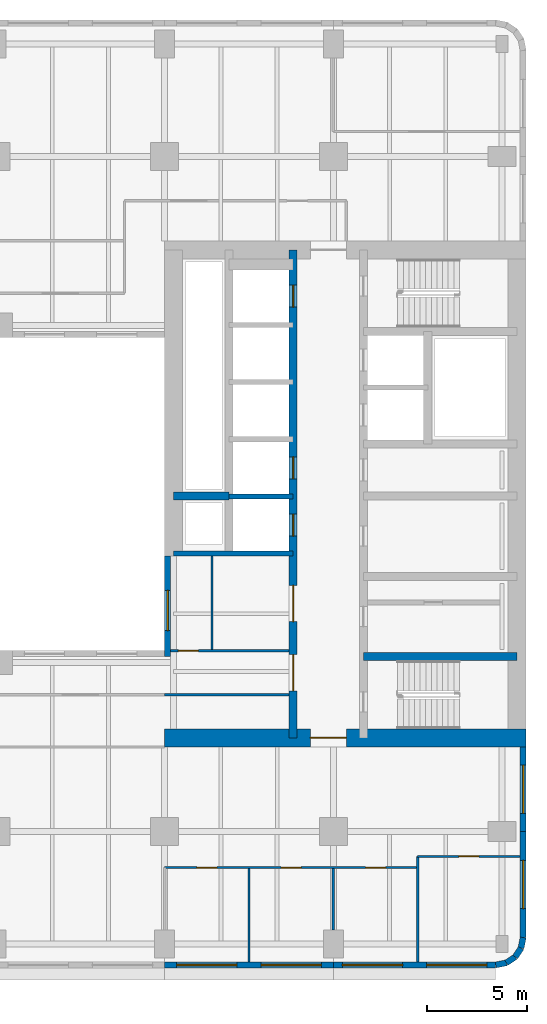
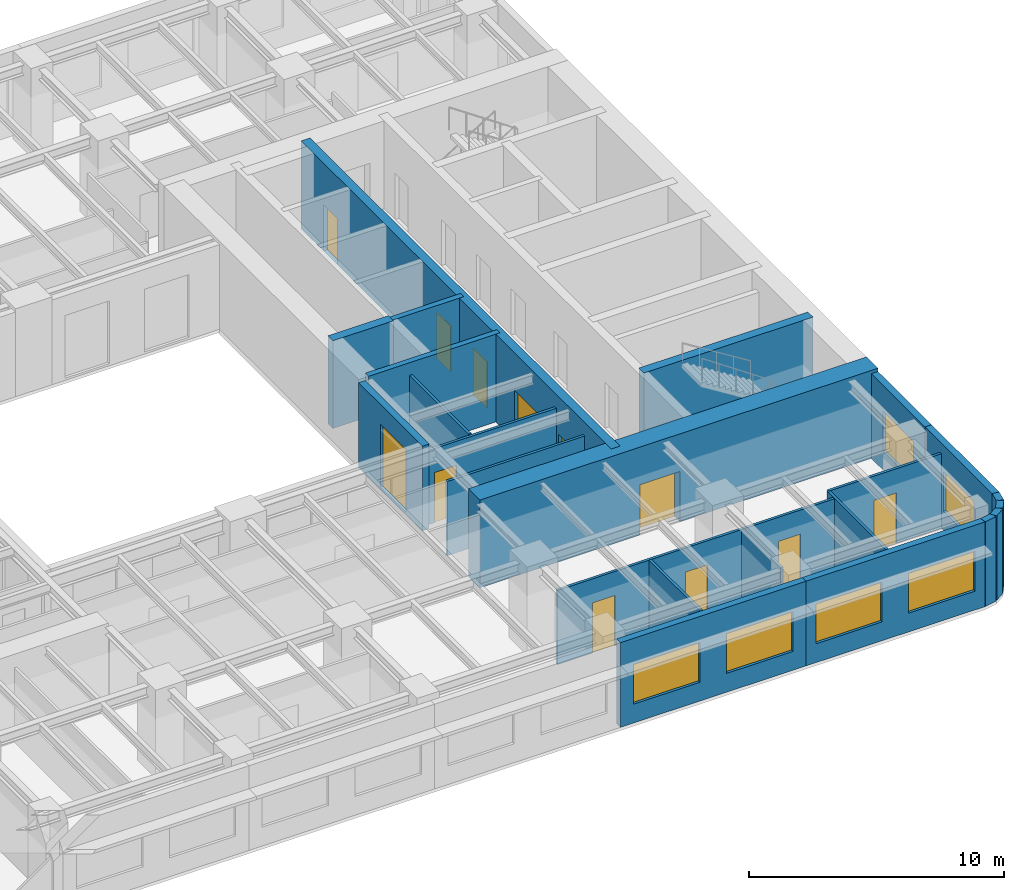
# One storey, part 5 of 11: 23 walls, 11 doors, 7 windows, 18 openings.
"""IFC4 building model written with IfcOpenShell, lengths in metres."""

from ifc_helpers import new_model, si_unit, direction, frame, frame_2d, origin, place, context, subcontext, project, spatial, rectangle, extrude, material, layer, layer_set, type_object, element, fill, save


model = new_model("IFC4")

# Units and contexts
model_context = context("Model", 3, precision=1e-05, world=origin(), true_north=direction((0.0, 1.0)))
body_context = subcontext(model_context, "Body", "Model", "MODEL_VIEW")
ifc_project = project(units=[si_unit("LENGTHUNIT", "METRE"), si_unit("AREAUNIT", "SQUARE_METRE"), si_unit("VOLUMEUNIT", "CUBIC_METRE"), si_unit("PLANEANGLEUNIT", "RADIAN"), si_unit("MASSUNIT", "GRAM", prefix="KILO")], contexts=[model_context])

# Site, building, storey
site_placement = place(None, origin())
site = spatial("IfcSite", under=ifc_project, at=site_placement, CompositionType="ELEMENT")
building_placement = place(site_placement, origin())
building = spatial("IfcBuilding", under=site, at=building_placement, Name="Claustro Exchange Tower", CompositionType="ELEMENT")
storey_placement = place(building_placement, frame((0.0, 0.0, 130.199951171875)))
storey = spatial("IfcBuildingStorey", under=building, at=storey_placement, Name="L29", CompositionType="ELEMENT", Elevation=130.199951171875)

# Wall, opening, door
ifc_material_1 = material(Name="Laminated glass in aluminium frame", Category="aluminium")
ifc_layer_1 = layer(ifc_material_1, 0.1201171875)
ifc_layer_set_1 = layer_set([ifc_layer_1], Name="Laminated glass in aluminium frame")
wall_type_1 = type_object("IfcWallType", Name="P2 120 glazed partition", PredefinedType="PARTITIONING", material=ifc_layer_set_1)
wall_1_placement = place(storey_placement, frame((33.89794921875, 17.39990234375, 0.0), z_axis=(0.0, 0.0, 1.0), x_axis=(1.0, 0.0, 0.0)))
wall_1 = element("IfcWall", 1, at=wall_1_placement, inside=storey, type_object=wall_type_1, Name="Partition P2 L29", PredefinedType="PARTITIONING", context=body_context, shape_type="SweptSolid", body=[
    extrude(rectangle(XDim=5.904052734375, YDim=0.1201171875, at=frame_2d((2.9521484375, 0.0))), origin(), (0.0, 0.0, 1.0), 3.550048828125),
])
opening_1_placement = place(wall_1_placement, frame((0.3798828125, 0.0, 0.0)))
opening_1 = element("IfcOpeningElement", 2, at=opening_1_placement, cuts=wall_1, Name="Opening D7", PredefinedType="OPENING", context=body_context, shape_type="SweptSolid", body=[
    extrude(rectangle(XDim=1.0, YDim=2.39990234375, at=frame_2d((0.5, 1.199951171875))), frame((0.0, 0.070068359375, 0.0), z_axis=(0.0, -1.0, 0.0), x_axis=(1.0, 0.0, 0.0)), (0.0, 0.0, 1.0), 0.14013671875),
])
ifc_material_2 = material(Name="Glass door in aluminium frame", Category="aluminium")
door_type_1 = type_object("IfcDoorType", Name="D7 1000 x 2400 glazed door", OperationType="SINGLE_SWING_LEFT", PredefinedType="DOOR", material=ifc_material_2)
door_1_placement = place(opening_1_placement, origin())
door_1 = element("IfcDoor", 3, at=door_1_placement, inside=storey, type_object=door_type_1, Name="Door D7 L29", OperationType="SINGLE_SWING_RIGHT", OverallHeight=2.39990234375, OverallWidth=1.0, PredefinedType="DOOR", context=body_context, shape_type="SweptSolid", body=[
    extrude(rectangle(XDim=1.0, YDim=2.39990234375, at=frame_2d((0.5, 1.199951171875))), frame((0.0, 0.02490234375, 0.0), z_axis=(0.0, -1.0, 0.0), x_axis=(1.0, 0.0, 0.0)), (0.0, 0.0, 1.0), 0.050048828125),
])
fill(opening_1, door_1)

# Wall
wall_2_placement = place(storey_placement, frame((35.9560546875, 17.4580078125, 0.0), z_axis=(0.0, 0.0, 1.0), x_axis=(0.0, 1.0, 0.0)))
element("IfcWall", 4, at=wall_2_placement, inside=storey, type_object=wall_type_1, Name="Partition P2 L29", PredefinedType="PARTITIONING", context=body_context, shape_type="SweptSolid", body=[
    extrude(rectangle(XDim=4.64404296875, YDim=0.1201171875, at=frame_2d((2.322021484375, 0.0))), origin(), (0.0, 0.0, 1.0), 3.60009765625),
])

# Wall, opening, door
wall_3_placement = place(storey_placement, frame((46.199951171875, 7.14990234375, 0.0), z_axis=(0.0, 0.0, 1.0), x_axis=(1.0, 0.0, 0.0)))
wall_3 = element("IfcWall", 5, at=wall_3_placement, inside=storey, type_object=wall_type_1, Name="Partition P2 L29", PredefinedType="PARTITIONING", context=body_context, shape_type="SweptSolid", body=[
    extrude(rectangle(XDim=5.10205078125, YDim=0.1201171875, at=frame_2d((2.551025390625, 0.0))), origin(), (0.0, 0.0, 1.0), 3.56005859375),
])
opening_2_placement = place(wall_3_placement, frame((2.050048828125, 0.0, 0.0)))
opening_2 = element("IfcOpeningElement", 6, at=opening_2_placement, cuts=wall_3, Name="Opening D7", PredefinedType="OPENING", context=body_context, shape_type="SweptSolid", body=[
    extrude(rectangle(XDim=1.0, YDim=2.39990234375, at=frame_2d((0.5, 1.199951171875))), frame((0.0, 0.070068359375, 0.0), z_axis=(0.0, -1.0, 0.0), x_axis=(1.0, 0.0, 0.0)), (0.0, 0.0, 1.0), 0.14013671875),
])
door_2_placement = place(opening_2_placement, frame((1.0, 0.0, 0.0), z_axis=(0.0, 0.0, 1.0), x_axis=(-1.0, 0.0, 0.0)))
door_2 = element("IfcDoor", 7, at=door_2_placement, inside=storey, type_object=door_type_1, Name="Door D7 L29", OperationType="SINGLE_SWING_RIGHT", OverallHeight=2.39990234375, OverallWidth=1.0, PredefinedType="DOOR", context=body_context, shape_type="SweptSolid", body=[
    extrude(rectangle(XDim=1.0, YDim=2.39990234375, at=frame_2d((0.5, 1.199951171875))), frame((0.0, 0.02490234375, 0.0), z_axis=(0.0, -1.0, 0.0), x_axis=(1.0, 0.0, 0.0)), (0.0, 0.0, 1.0), 0.050048828125),
])
fill(opening_2, door_2)

# Wall, openings, doors
wall_4_placement = place(storey_placement, frame((33.60009765625, 6.60009765625, 0.0), z_axis=(0.0, 0.0, 1.0), x_axis=(1.0, 0.0, 0.0)))
wall_4 = element("IfcWall", 8, at=wall_4_placement, inside=storey, type_object=wall_type_1, Name="Partition P2 L29", PredefinedType="PARTITIONING", context=body_context, shape_type="SweptSolid", body=[
    extrude(rectangle(XDim=12.5419921875, YDim=0.1201171875, at=frame_2d((6.27099609375, 0.0))), origin(), (0.0, 0.0, 1.0), 3.550048828125),
])
opening_3_placement = place(wall_4_placement, frame((1.60009765625, 0.0, 0.0)))
opening_3 = element("IfcOpeningElement", 9, at=opening_3_placement, cuts=wall_4, Name="Opening D7", PredefinedType="OPENING", context=body_context, shape_type="SweptSolid", body=[
    extrude(rectangle(XDim=1.0, YDim=2.39990234375, at=frame_2d((0.5, 1.199951171875))), frame((0.0, 0.070068359375, 0.0), z_axis=(0.0, -1.0, 0.0), x_axis=(1.0, 0.0, 0.0)), (0.0, 0.0, 1.0), 0.14013671875),
])
opening_4_placement = place(wall_4_placement, frame((5.800048828125, 0.0, 0.0)))
opening_4 = element("IfcOpeningElement", 10, at=opening_4_placement, cuts=wall_4, Name="Opening D7", PredefinedType="OPENING", context=body_context, shape_type="SweptSolid", body=[
    extrude(rectangle(XDim=1.0, YDim=2.39990234375, at=frame_2d((0.5, 1.199951171875))), frame((0.0, 0.070068359375, 0.0), z_axis=(0.0, -1.0, 0.0), x_axis=(1.0, 0.0, 0.0)), (0.0, 0.0, 1.0), 0.14013671875),
])
opening_5_placement = place(wall_4_placement, frame((10.0, 0.0, 0.0)))
opening_5 = element("IfcOpeningElement", 11, at=opening_5_placement, cuts=wall_4, Name="Opening D7", PredefinedType="OPENING", context=body_context, shape_type="SweptSolid", body=[
    extrude(rectangle(XDim=1.0, YDim=2.39990234375, at=frame_2d((0.5, 1.199951171875))), frame((0.0, 0.070068359375, 0.0), z_axis=(0.0, -1.0, 0.0), x_axis=(1.0, 0.0, 0.0)), (0.0, 0.0, 1.0), 0.14013671875),
])
door_3_placement = place(opening_3_placement, frame((1.0, 0.0, 0.0), z_axis=(0.0, 0.0, 1.0), x_axis=(-1.0, 0.0, 0.0)))
door_3 = element("IfcDoor", 12, at=door_3_placement, inside=storey, type_object=door_type_1, Name="Door D7 L29", OperationType="SINGLE_SWING_LEFT", OverallHeight=2.39990234375, OverallWidth=1.0, PredefinedType="DOOR", context=body_context, shape_type="SweptSolid", body=[
    extrude(rectangle(XDim=1.0, YDim=2.39990234375, at=frame_2d((0.5, 1.199951171875))), frame((0.0, 0.02490234375, 0.0), z_axis=(0.0, -1.0, 0.0), x_axis=(1.0, 0.0, 0.0)), (0.0, 0.0, 1.0), 0.050048828125),
])
fill(opening_3, door_3)
door_4_placement = place(opening_4_placement, frame((1.0, 0.0, 0.0), z_axis=(0.0, 0.0, 1.0), x_axis=(-1.0, 0.0, 0.0)))
door_4 = element("IfcDoor", 13, at=door_4_placement, inside=storey, type_object=door_type_1, Name="Door D7 L29", OperationType="SINGLE_SWING_LEFT", OverallHeight=2.39990234375, OverallWidth=1.0, PredefinedType="DOOR", context=body_context, shape_type="SweptSolid", body=[
    extrude(rectangle(XDim=1.0, YDim=2.39990234375, at=frame_2d((0.5, 1.199951171875))), frame((0.0, 0.02490234375, 0.0), z_axis=(0.0, -1.0, 0.0), x_axis=(1.0, 0.0, 0.0)), (0.0, 0.0, 1.0), 0.050048828125),
])
fill(opening_4, door_4)
door_5_placement = place(opening_5_placement, frame((1.0, 0.0, 0.0), z_axis=(0.0, 0.0, 1.0), x_axis=(-1.0, 0.0, 0.0)))
door_5 = element("IfcDoor", 14, at=door_5_placement, inside=storey, type_object=door_type_1, Name="Door D7 L29", OperationType="SINGLE_SWING_RIGHT", OverallHeight=2.39990234375, OverallWidth=1.0, PredefinedType="DOOR", context=body_context, shape_type="SweptSolid", body=[
    extrude(rectangle(XDim=1.0, YDim=2.39990234375, at=frame_2d((0.5, 1.199951171875))), frame((0.0, 0.02490234375, 0.0), z_axis=(0.0, -1.0, 0.0), x_axis=(1.0, 0.0, 0.0)), (0.0, 0.0, 1.0), 0.050048828125),
])
fill(opening_5, door_5)

# Walls
wall_5_placement = place(storey_placement, frame((37.800048828125, 1.89794921875, 0.0), z_axis=(0.0, 0.0, 1.0), x_axis=(0.0, 1.0, 0.0)))
element("IfcWall", 15, at=wall_5_placement, inside=storey, type_object=wall_type_1, Name="Partition P2 L29", PredefinedType="PARTITIONING", context=body_context, shape_type="SweptSolid", body=[
    extrude(rectangle(XDim=4.64404296875, YDim=0.1201171875, at=frame_2d((2.322021484375, 0.0))), origin(), (0.0, 0.0, 1.0), 3.56005859375),
])
wall_6_placement = place(storey_placement, frame((42.0, 3.4990234375, 0.0), z_axis=(0.0, 0.0, 1.0), x_axis=(0.0, 1.0, 0.0)))
element("IfcWall", 16, at=wall_6_placement, inside=storey, type_object=wall_type_1, Name="Partition P2 L29", PredefinedType="PARTITIONING", context=body_context, shape_type="SweptSolid", body=[
    extrude(rectangle(XDim=3.04296875, YDim=0.1201171875, at=frame_2d((1.521484375, 0.0))), origin(), (0.0, 0.0, 1.0), 3.550048828125),
])
wall_7_placement = place(storey_placement, frame((46.199951171875, 1.89794921875, 0.0), z_axis=(0.0, 0.0, 1.0), x_axis=(0.0, 1.0, 0.0)))
element("IfcWall", 17, at=wall_7_placement, inside=storey, type_object=wall_type_1, Name="Partition P2 L29", PredefinedType="PARTITIONING", context=body_context, shape_type="SweptSolid", body=[
    extrude(rectangle(XDim=5.251953125, YDim=0.1201171875, at=frame_2d((2.6259765625, 0.0))), origin(), (0.0, 0.0, 1.0), 3.56005859375),
])
wall_8_placement = place(storey_placement, frame((33.597900390625, 15.199951171875, 0.0), z_axis=(0.0, 0.0, 1.0), x_axis=(1.0, 0.0, 0.0)))
element("IfcWall", 18, at=wall_8_placement, inside=storey, type_object=wall_type_1, Name="Partition P2 L29", PredefinedType="PARTITIONING", context=body_context, shape_type="SweptSolid", body=[
    extrude(rectangle(XDim=6.2041015625, YDim=0.1201171875, at=frame_2d((3.10205078125, 0.0))), origin(), (0.0, 0.0, 1.0), 3.550048828125),
])

# Wall, openings, windows
ifc_material_3 = material(Name="Concrete HA-40 (C40/50), precast, white cement, acid-etched", Category="concrete")
ifc_layer_2 = layer(ifc_material_3, 0.300048828125)
ifc_layer_set_2 = layer_set([ifc_layer_2], Name="Concrete HA-40 (C40/50), precast, white cement, acid-etched")
wall_type_2 = type_object("IfcWallType", Name="PC1 300 precast concrete pier panel", PredefinedType="SOLIDWALL", material=ifc_layer_set_2)
wall_9_placement = place(storey_placement, frame((50.085205078125, 1.75, 0.0), z_axis=(0.0, 0.0, 1.0), x_axis=(-1.0, 0.0, 0.0)))
wall_9 = element("IfcWall", 19, at=wall_9_placement, inside=storey, type_object=wall_type_2, Name="Precast pier panel PC1 L29", PredefinedType="SOLIDWALL", context=body_context, shape_type="SweptSolid", body=[
    extrude(rectangle(XDim=8.085205078125, YDim=0.300048828125, at=frame_2d((4.04248046875, 0.0))), origin(), (0.0, 0.0, 1.0), 4.050048828125),
])
opening_6_placement = place(wall_9_placement, frame((0.442626953125, 0.0, 0.89990234375)))
opening_6 = element("IfcOpeningElement", 20, at=opening_6_placement, cuts=wall_9, Name="Opening W1", PredefinedType="OPENING", context=body_context, shape_type="SweptSolid", body=[
    extrude(rectangle(XDim=3.0, YDim=1.89990234375, at=frame_2d((1.5, 0.949951171875))), frame((0.0, 0.159912109375, 0.0), z_axis=(0.0, -1.0, 0.0), x_axis=(1.0, 0.0, 0.0)), (0.0, 0.0, 1.0), 0.320068359375),
])
opening_7_placement = place(wall_9_placement, frame((4.642578125, 0.0, 0.89990234375)))
opening_7 = element("IfcOpeningElement", 21, at=opening_7_placement, cuts=wall_9, Name="Opening W1", PredefinedType="OPENING", context=body_context, shape_type="SweptSolid", body=[
    extrude(rectangle(XDim=3.0, YDim=1.89990234375, at=frame_2d((1.5, 0.949951171875))), frame((0.0, 0.159912109375, 0.0), z_axis=(0.0, -1.0, 0.0), x_axis=(1.0, 0.0, 0.0)), (0.0, 0.0, 1.0), 0.320068359375),
])
ifc_material_4 = material(Name="Aluminium frame, clear double glazing", Category="aluminium")
window_type_1 = type_object("IfcWindowType", Name="W1 3000 x 1900 window", PartitioningType="SINGLE_PANEL", PredefinedType="WINDOW", material=ifc_material_4)
window_1_placement = place(opening_6_placement, origin())
window_1 = element("IfcWindow", 22, at=window_1_placement, inside=storey, type_object=window_type_1, Name="Window W1 L29", OverallHeight=1.89990234375, OverallWidth=3.0, PartitioningType="SINGLE_PANEL", PredefinedType="WINDOW", context=body_context, shape_type="SweptSolid", body=[
    extrude(rectangle(XDim=3.0, YDim=1.89990234375, at=frame_2d((1.5, 0.949951171875))), frame((0.0, 0.030029296875, 0.0), z_axis=(0.0, -1.0, 0.0), x_axis=(1.0, 0.0, 0.0)), (0.0, 0.0, 1.0), 0.06005859375),
])
fill(opening_6, window_1)
window_2_placement = place(opening_7_placement, origin())
window_2 = element("IfcWindow", 23, at=window_2_placement, inside=storey, type_object=window_type_1, Name="Window W1 L29", OverallHeight=1.89990234375, OverallWidth=3.0, PartitioningType="SINGLE_PANEL", PredefinedType="WINDOW", context=body_context, shape_type="SweptSolid", body=[
    extrude(rectangle(XDim=3.0, YDim=1.89990234375, at=frame_2d((1.5, 0.949951171875))), frame((0.0, 0.030029296875, 0.0), z_axis=(0.0, -1.0, 0.0), x_axis=(1.0, 0.0, 0.0)), (0.0, 0.0, 1.0), 0.06005859375),
])
fill(opening_7, window_2)

wall_10_placement = place(storey_placement, frame((42.0, 1.75, 0.0), z_axis=(0.0, 0.0, 1.0), x_axis=(-1.0, 0.0, 0.0)))
wall_10 = element("IfcWall", 24, at=wall_10_placement, inside=storey, type_object=wall_type_2, Name="Precast pier panel PC1 L29", PredefinedType="SOLIDWALL", context=body_context, shape_type="SweptSolid", body=[
    extrude(rectangle(XDim=8.39990234375, YDim=0.300048828125, at=frame_2d((4.199951171875, 0.0))), origin(), (0.0, 0.0, 1.0), 4.050048828125),
])
opening_8_placement = place(wall_10_placement, frame((0.60009765625, 0.0, 0.89990234375)))
opening_8 = element("IfcOpeningElement", 25, at=opening_8_placement, cuts=wall_10, Name="Opening W1", PredefinedType="OPENING", context=body_context, shape_type="SweptSolid", body=[
    extrude(rectangle(XDim=3.0, YDim=1.89990234375, at=frame_2d((1.5, 0.949951171875))), frame((0.0, 0.159912109375, 0.0), z_axis=(0.0, -1.0, 0.0), x_axis=(1.0, 0.0, 0.0)), (0.0, 0.0, 1.0), 0.320068359375),
])
opening_9_placement = place(wall_10_placement, frame((4.800048828125, 0.0, 0.89990234375)))
opening_9 = element("IfcOpeningElement", 26, at=opening_9_placement, cuts=wall_10, Name="Opening W1", PredefinedType="OPENING", context=body_context, shape_type="SweptSolid", body=[
    extrude(rectangle(XDim=3.0, YDim=1.89990234375, at=frame_2d((1.5, 0.949951171875))), frame((0.0, 0.159912109375, 0.0), z_axis=(0.0, -1.0, 0.0), x_axis=(1.0, 0.0, 0.0)), (0.0, 0.0, 1.0), 0.320068359375),
])
window_3_placement = place(opening_8_placement, origin())
window_3 = element("IfcWindow", 27, at=window_3_placement, inside=storey, type_object=window_type_1, Name="Window W1 L29", OverallHeight=1.89990234375, OverallWidth=3.0, PartitioningType="SINGLE_PANEL", PredefinedType="WINDOW", context=body_context, shape_type="SweptSolid", body=[
    extrude(rectangle(XDim=3.0, YDim=1.89990234375, at=frame_2d((1.5, 0.949951171875))), frame((0.0, 0.030029296875, 0.0), z_axis=(0.0, -1.0, 0.0), x_axis=(1.0, 0.0, 0.0)), (0.0, 0.0, 1.0), 0.06005859375),
])
fill(opening_8, window_3)
window_4_placement = place(opening_9_placement, origin())
window_4 = element("IfcWindow", 28, at=window_4_placement, inside=storey, type_object=window_type_1, Name="Window W1 L29", OverallHeight=1.89990234375, OverallWidth=3.0, PartitioningType="SINGLE_PANEL", PredefinedType="WINDOW", context=body_context, shape_type="SweptSolid", body=[
    extrude(rectangle(XDim=3.0, YDim=1.89990234375, at=frame_2d((1.5, 0.949951171875))), frame((0.0, 0.030029296875, 0.0), z_axis=(0.0, -1.0, 0.0), x_axis=(1.0, 0.0, 0.0)), (0.0, 0.0, 1.0), 0.06005859375),
])
fill(opening_9, window_4)

# Wall, opening, window
wall_11_placement = place(storey_placement, frame((51.449951171875, 12.60009765625, 0.0), z_axis=(0.0, 0.0, 1.0), x_axis=(0.0, -1.0, 0.0)))
wall_11 = element("IfcWall", 29, at=wall_11_placement, inside=storey, type_object=wall_type_2, Name="Precast pier panel PC1 L29", PredefinedType="SOLIDWALL", context=body_context, shape_type="SweptSolid", body=[
    extrude(rectangle(XDim=4.2001953125, YDim=0.300048828125, at=frame_2d((2.10009765625, 0.0))), origin(), (0.0, 0.0, 1.0), 4.050048828125),
])
opening_10_placement = place(wall_11_placement, frame((0.89990234375, 0.0, 0.89990234375)))
opening_10 = element("IfcOpeningElement", 30, at=opening_10_placement, cuts=wall_11, Name="Opening W2", PredefinedType="OPENING", context=body_context, shape_type="SweptSolid", body=[
    extrude(rectangle(XDim=2.39990234375, YDim=1.89990234375, at=frame_2d((1.199951171875, 0.949951171875))), frame((0.0, 0.159912109375, 0.0), z_axis=(0.0, -1.0, 0.0), x_axis=(1.0, 0.0, 0.0)), (0.0, 0.0, 1.0), 0.320068359375),
])
ifc_material_5 = material(Name="Aluminium frame, clear double glazing", Category="aluminium")
window_type_2 = type_object("IfcWindowType", Name="W2 2400 x 1900 window", PartitioningType="SINGLE_PANEL", PredefinedType="WINDOW", material=ifc_material_5)
window_5_placement = place(opening_10_placement, origin())
window_5 = element("IfcWindow", 31, at=window_5_placement, inside=storey, type_object=window_type_2, Name="Window W2 L29", OverallHeight=1.89990234375, OverallWidth=2.39990234375, PartitioningType="SINGLE_PANEL", PredefinedType="WINDOW", context=body_context, shape_type="SweptSolid", body=[
    extrude(rectangle(XDim=2.39990234375, YDim=1.89990234375, at=frame_2d((1.199951171875, 0.949951171875))), frame((0.0, 0.030029296875, 0.0), z_axis=(0.0, -1.0, 0.0), x_axis=(1.0, 0.0, 0.0)), (0.0, 0.0, 1.0), 0.06005859375),
])
fill(opening_10, window_5)

wall_12_placement = place(storey_placement, frame((51.449951171875, 8.39990234375, 0.0), z_axis=(0.0, 0.0, 1.0), x_axis=(0.0, -1.0, 0.0)))
wall_12 = element("IfcWall", 32, at=wall_12_placement, inside=storey, type_object=wall_type_2, Name="Precast pier panel PC1 L29", PredefinedType="SOLIDWALL", context=body_context, shape_type="SweptSolid", body=[
    extrude(rectangle(XDim=5.28515625, YDim=0.300048828125, at=frame_2d((2.642578125, 0.0))), origin(), (0.0, 0.0, 1.0), 4.050048828125),
])
opening_11_placement = place(wall_12_placement, frame((1.442626953125, 0.0, 0.89990234375)))
opening_11 = element("IfcOpeningElement", 33, at=opening_11_placement, cuts=wall_12, Name="Opening W2", PredefinedType="OPENING", context=body_context, shape_type="SweptSolid", body=[
    extrude(rectangle(XDim=2.39990234375, YDim=1.89990234375, at=frame_2d((1.199951171875, 0.949951171875))), frame((0.0, 0.159912109375, 0.0), z_axis=(0.0, -1.0, 0.0), x_axis=(1.0, 0.0, 0.0)), (0.0, 0.0, 1.0), 0.320068359375),
])
window_6_placement = place(opening_11_placement, origin())
window_6 = element("IfcWindow", 34, at=window_6_placement, inside=storey, type_object=window_type_2, Name="Window W2 L29", OverallHeight=1.89990234375, OverallWidth=2.39990234375, PartitioningType="SINGLE_PANEL", PredefinedType="WINDOW", context=body_context, shape_type="SweptSolid", body=[
    extrude(rectangle(XDim=2.39990234375, YDim=1.89990234375, at=frame_2d((1.199951171875, 0.949951171875))), frame((0.0, 0.030029296875, 0.0), z_axis=(0.0, -1.0, 0.0), x_axis=(1.0, 0.0, 0.0)), (0.0, 0.0, 1.0), 0.06005859375),
])
fill(opening_11, window_6)

# Walls
wall_13_placement = place(storey_placement, frame((51.449951171875, 3.11474609375, 0.0), z_axis=(0.0, 0.0, 1.0), x_axis=(-0.195073962632, -0.980788534345, 0.0)))
element("IfcWall", 35, at=wall_13_placement, inside=storey, type_object=wall_type_2, Name="Precast pier panel PC1 L29", PredefinedType="SOLIDWALL", context=body_context, shape_type="SweptSolid", body=[
    extrude(rectangle(XDim=0.540771484375, YDim=0.300048828125, at=frame_2d((0.2705078125, 0.0))), origin(), (0.0, 0.0, 1.0), 4.050048828125),
])
for number, where, z_axis, x_axis, name in (
    (36, (51.344482421875, 2.58447265625, 0.0), (0.0, 0.0, 1.0), (-0.555557463938, -0.831478144188, 0.0), "Precast pier panel PC1 L29"),
    (37, (51.052490234375, 2.1474609375, 0.0), (0.0, 0.0, 1.0), (-0.831478144188, -0.555557463938, 0.0), "Precast pier panel PC1 L29"),
):
    element("IfcWall", number, at=place(storey_placement, frame(where, z_axis=z_axis, x_axis=x_axis)), inside=storey, type_object=wall_type_2, Name=name, PredefinedType="SOLIDWALL", context=body_context, shape_type="SweptSolid", body=[
        extrude(rectangle(XDim=0.525634765625, YDim=0.300048828125, at=frame_2d((0.2626953125, 0.0))), origin(), (0.0, 0.0, 1.0), 4.050048828125),
    ])
wall_14_placement = place(storey_placement, frame((50.615478515625, 1.85546875, 0.0), z_axis=(0.0, 0.0, 1.0), x_axis=(-0.980788534345, -0.195073962632, 0.0)))
element("IfcWall", 38, at=wall_14_placement, inside=storey, type_object=wall_type_2, Name="Precast pier panel PC1 L29", PredefinedType="SOLIDWALL", context=body_context, shape_type="SweptSolid", body=[
    extrude(rectangle(XDim=0.540771484375, YDim=0.300048828125, at=frame_2d((0.2705078125, 0.0))), origin(), (0.0, 0.0, 1.0), 4.050048828125),
])

# Wall, opening, window
wall_15_placement = place(storey_placement, frame((33.75, 17.10009765625, 0.0), z_axis=(0.0, 0.0, 1.0), x_axis=(0.0, 1.0, 0.0)))
wall_15 = element("IfcWall", 39, at=wall_15_placement, inside=storey, type_object=wall_type_2, Name="Precast pier panel PC1 L29", PredefinedType="SOLIDWALL", context=body_context, shape_type="SweptSolid", body=[
    extrude(rectangle(XDim=5.0, YDim=0.300048828125, at=frame_2d((2.5, 0.0))), origin(), (0.0, 0.0, 1.0), 4.050048828125),
])
opening_12_placement = place(wall_15_placement, frame((1.300048828125, 0.0, 0.10009765625)))
opening_12 = element("IfcOpeningElement", 40, at=opening_12_placement, cuts=wall_15, Name="Opening W-A", PredefinedType="OPENING", context=body_context, shape_type="SweptSolid", body=[
    extrude(rectangle(XDim=2.0, YDim=3.0, at=frame_2d((1.0, 1.5))), frame((0.0, 0.159912109375, 0.0), z_axis=(0.0, -1.0, 0.0), x_axis=(1.0, 0.0, 0.0)), (0.0, 0.0, 1.0), 0.320068359375),
])
ifc_material_6 = material(Name="Aluminium frame, clear double glazing", Category="aluminium")
window_type_3 = type_object("IfcWindowType", Name="W-A 2000 x 3000 arcade window", PartitioningType="SINGLE_PANEL", PredefinedType="WINDOW", material=ifc_material_6)
window_7_placement = place(opening_12_placement, origin())
window_7 = element("IfcWindow", 41, at=window_7_placement, inside=storey, type_object=window_type_3, Name="Window W-A L29", OverallHeight=3.0, OverallWidth=2.0, PartitioningType="SINGLE_PANEL", PredefinedType="WINDOW", context=body_context, shape_type="SweptSolid", body=[
    extrude(rectangle(XDim=2.0, YDim=3.0, at=frame_2d((1.0, 1.5))), frame((0.0, 0.030029296875, 0.0), z_axis=(0.0, -1.0, 0.0), x_axis=(1.0, 0.0, 0.0)), (0.0, 0.0, 1.0), 0.06005859375),
])
fill(opening_12, window_7)

# Wall, opening, door
ifc_material_7 = material(Name="Concrete HA-70 (C70/85)", Category="concrete")
ifc_layer_3 = layer(ifc_material_7, 0.89990234375)
ifc_layer_set_3 = layer_set([ifc_layer_3], Name="Concrete HA-70 (C70/85)")
wall_type_3 = type_object("IfcWallType", Name="SW1 900 core shear wall", PredefinedType="SHEAR", material=ifc_layer_set_3)
wall_16_placement = place(storey_placement, frame((33.60009765625, 13.050048828125, 0.0), z_axis=(0.0, 0.0, 1.0), x_axis=(1.0, 0.0, 0.0)))
wall_16 = element("IfcWall", 42, at=wall_16_placement, inside=storey, type_object=wall_type_3, Name="Core wall SW1 E core S face L29", PredefinedType="SHEAR", context=body_context, shape_type="SweptSolid", body=[
    extrude(rectangle(XDim=18.0, YDim=0.89990234375, at=frame_2d((9.0, 0.0))), origin(), (0.0, 0.0, 1.0), 4.199951171875),
])
opening_13_placement = place(wall_16_placement, frame((7.25, 0.0, 0.0)))
opening_13 = element("IfcOpeningElement", 43, at=opening_13_placement, cuts=wall_16, Name="Opening D3", PredefinedType="OPENING", context=body_context, shape_type="SweptSolid", body=[
    extrude(rectangle(XDim=1.800048828125, YDim=2.39990234375, at=frame_2d((0.89990234375, 1.199951171875))), frame((0.0, 0.4599609375, 0.0), z_axis=(0.0, -1.0, 0.0), x_axis=(1.0, 0.0, 0.0)), (0.0, 0.0, 1.0), 0.919921875),
])
ifc_material_8 = material(Name="Steel fire door, painted", Category="steel")
door_type_2 = type_object("IfcDoorType", Name="D3 1800 x 2400 fire-rated lobby double door", OperationType="DOUBLE_DOOR_SINGLE_SWING", PredefinedType="DOOR", material=ifc_material_8)
door_6_placement = place(opening_13_placement, frame((1.800048828125, 0.0, 0.0), z_axis=(0.0, 0.0, 1.0), x_axis=(-1.0, 0.0, 0.0)))
door_6 = element("IfcDoor", 44, at=door_6_placement, inside=storey, type_object=door_type_2, Name="Lift lobby door D3 L29", OperationType="DOUBLE_DOOR_SINGLE_SWING", OverallHeight=2.39990234375, OverallWidth=1.800048828125, PredefinedType="DOOR", context=body_context, shape_type="SweptSolid", body=[
    extrude(rectangle(XDim=1.800048828125, YDim=2.39990234375, at=frame_2d((0.89990234375, 1.199951171875))), frame((0.0, 0.02490234375, 0.0), z_axis=(0.0, -1.0, 0.0), x_axis=(1.0, 0.0, 0.0)), (0.0, 0.0, 1.0), 0.050048828125),
])
fill(opening_13, door_6)

# Wall, openings, doors
ifc_material_9 = material(Name="Concrete HA-50 (C50/60)", Category="concrete")
ifc_layer_4 = layer(ifc_material_9, 0.39990234375)
ifc_layer_set_4 = layer_set([ifc_layer_4], Name="Concrete HA-50 (C50/60)")
wall_type_4 = type_object("IfcWallType", Name="SW4 400 internal core wall", PredefinedType="SHEAR", material=ifc_layer_set_4)
wall_17_placement = place(storey_placement, frame((40.0, 13.050048828125, 0.0), z_axis=(0.0, 0.0, 1.0), x_axis=(0.0, 1.0, 0.0)))
wall_17 = element("IfcWall", 45, at=wall_17_placement, inside=storey, type_object=wall_type_4, Name="Internal core wall SW4 E core L29", PredefinedType="SHEAR", context=body_context, shape_type="SweptSolid", body=[
    extrude(rectangle(XDim=24.300048828125, YDim=0.39990234375, at=frame_2d((12.14990234375, 0.0))), origin(), (0.0, 0.0, 1.0), 4.199951171875),
])
opening_14_placement = place(wall_17_placement, frame((10.050048828125, 0.0, 0.0)))
opening_14 = element("IfcOpeningElement", 46, at=opening_14_placement, cuts=wall_17, Name="Opening LD", PredefinedType="OPENING", context=body_context, shape_type="SweptSolid", body=[
    extrude(rectangle(XDim=1.10009765625, YDim=2.199951171875, at=frame_2d((0.550048828125, 1.10009765625))), frame((0.0, 0.2099609375, 0.0), z_axis=(0.0, -1.0, 0.0), x_axis=(1.0, 0.0, 0.0)), (0.0, 0.0, 1.0), 0.419921875),
])
opening_15_placement = place(wall_17_placement, frame((12.89990234375, 0.0, 0.0)))
opening_15 = element("IfcOpeningElement", 47, at=opening_15_placement, cuts=wall_17, Name="Opening LD", PredefinedType="OPENING", context=body_context, shape_type="SweptSolid", body=[
    extrude(rectangle(XDim=1.10009765625, YDim=2.199951171875, at=frame_2d((0.550048828125, 1.10009765625))), frame((0.0, 0.2099609375, 0.0), z_axis=(0.0, -1.0, 0.0), x_axis=(1.0, 0.0, 0.0)), (0.0, 0.0, 1.0), 0.419921875),
])
opening_16_placement = place(wall_17_placement, frame((21.449951171875, 0.0, 0.0)))
opening_16 = element("IfcOpeningElement", 48, at=opening_16_placement, cuts=wall_17, Name="Opening LD", PredefinedType="OPENING", context=body_context, shape_type="SweptSolid", body=[
    extrude(rectangle(XDim=1.10009765625, YDim=2.199951171875, at=frame_2d((0.550048828125, 1.10009765625))), frame((0.0, 0.2099609375, 0.0), z_axis=(0.0, -1.0, 0.0), x_axis=(1.0, 0.0, 0.0)), (0.0, 0.0, 1.0), 0.419921875),
])
opening_17_placement = place(wall_17_placement, frame((2.35009765625, 0.0, 0.0)))
opening_17 = element("IfcOpeningElement", 49, at=opening_17_placement, cuts=wall_17, Name="Opening D3", PredefinedType="OPENING", context=body_context, shape_type="SweptSolid", body=[
    extrude(rectangle(XDim=1.800048828125, YDim=2.39990234375, at=frame_2d((0.89990234375, 1.199951171875))), frame((0.0, 0.2099609375, 0.0), z_axis=(0.0, -1.0, 0.0), x_axis=(1.0, 0.0, 0.0)), (0.0, 0.0, 1.0), 0.419921875),
])
opening_18_placement = place(wall_17_placement, frame((5.800048828125, 0.0, 0.0)))
opening_18 = element("IfcOpeningElement", 50, at=opening_18_placement, cuts=wall_17, Name="Opening D3", PredefinedType="OPENING", context=body_context, shape_type="SweptSolid", body=[
    extrude(rectangle(XDim=1.800048828125, YDim=2.39990234375, at=frame_2d((0.89990234375, 1.199951171875))), frame((0.0, 0.2099609375, 0.0), z_axis=(0.0, -1.0, 0.0), x_axis=(1.0, 0.0, 0.0)), (0.0, 0.0, 1.0), 0.419921875),
])
door_7_placement = place(opening_17_placement, frame((1.800048828125, 0.0, 0.0), z_axis=(0.0, 0.0, 1.0), x_axis=(-1.0, 0.0, 0.0)))
door_7 = element("IfcDoor", 51, at=door_7_placement, inside=storey, type_object=door_type_2, Name="Core zone door D3 L29", OperationType="DOUBLE_DOOR_SINGLE_SWING", OverallHeight=2.39990234375, OverallWidth=1.800048828125, PredefinedType="DOOR", context=body_context, shape_type="SweptSolid", body=[
    extrude(rectangle(XDim=1.800048828125, YDim=2.39990234375, at=frame_2d((0.89990234375, 1.199951171875))), frame((0.0, 0.02490234375, 0.0), z_axis=(0.0, -1.0, 0.0), x_axis=(1.0, 0.0, 0.0)), (0.0, 0.0, 1.0), 0.050048828125),
])
fill(opening_17, door_7)
door_8_placement = place(opening_18_placement, origin())
door_8 = element("IfcDoor", 52, at=door_8_placement, inside=storey, type_object=door_type_2, Name="Core zone door D3 L29", OperationType="DOUBLE_DOOR_SINGLE_SWING", OverallHeight=2.39990234375, OverallWidth=1.800048828125, PredefinedType="DOOR", context=body_context, shape_type="SweptSolid", body=[
    extrude(rectangle(XDim=1.800048828125, YDim=2.39990234375, at=frame_2d((0.89990234375, 1.199951171875))), frame((0.0, 0.02490234375, 0.0), z_axis=(0.0, -1.0, 0.0), x_axis=(1.0, 0.0, 0.0)), (0.0, 0.0, 1.0), 0.050048828125),
])
fill(opening_18, door_8)
ifc_material_10 = material(Name="Stainless steel sliding door", Category="steel")
door_type_3 = type_object("IfcDoorType", Name="LD 1100 x 2200 lift landing door", OperationType="DOUBLE_DOOR_SLIDING", PredefinedType="DOOR", material=ifc_material_10)
door_9_placement = place(opening_14_placement, origin())
door_9 = element("IfcDoor", 53, at=door_9_placement, inside=storey, type_object=door_type_3, Name="Lift landing door LME1 LD L29", OperationType="DOUBLE_DOOR_SLIDING", OverallHeight=2.199951171875, OverallWidth=1.10009765625, PredefinedType="DOOR", context=body_context, shape_type="SweptSolid", body=[
    extrude(rectangle(XDim=1.10009765625, YDim=2.199951171875, at=frame_2d((0.550048828125, 1.10009765625))), frame((0.0, 0.02490234375, 0.0), z_axis=(0.0, -1.0, 0.0), x_axis=(1.0, 0.0, 0.0)), (0.0, 0.0, 1.0), 0.050048828125),
])
fill(opening_14, door_9)
door_10_placement = place(opening_15_placement, origin())
door_10 = element("IfcDoor", 54, at=door_10_placement, inside=storey, type_object=door_type_3, Name="Lift landing door LME2 LD L29", OperationType="DOUBLE_DOOR_SLIDING", OverallHeight=2.199951171875, OverallWidth=1.10009765625, PredefinedType="DOOR", context=body_context, shape_type="SweptSolid", body=[
    extrude(rectangle(XDim=1.10009765625, YDim=2.199951171875, at=frame_2d((0.550048828125, 1.10009765625))), frame((0.0, 0.02490234375, 0.0), z_axis=(0.0, -1.0, 0.0), x_axis=(1.0, 0.0, 0.0)), (0.0, 0.0, 1.0), 0.050048828125),
])
fill(opening_15, door_10)
door_11_placement = place(opening_16_placement, origin())
door_11 = element("IfcDoor", 55, at=door_11_placement, inside=storey, type_object=door_type_3, Name="Lift landing door LSE1 LD L29", OperationType="DOUBLE_DOOR_SLIDING", OverallHeight=2.199951171875, OverallWidth=1.10009765625, PredefinedType="DOOR", context=body_context, shape_type="SweptSolid", body=[
    extrude(rectangle(XDim=1.10009765625, YDim=2.199951171875, at=frame_2d((0.550048828125, 1.10009765625))), frame((0.0, 0.02490234375, 0.0), z_axis=(0.0, -1.0, 0.0), x_axis=(1.0, 0.0, 0.0)), (0.0, 0.0, 1.0), 0.050048828125),
])
fill(opening_16, door_11)

# Walls
wall_18_placement = place(storey_placement, frame((51.14990234375, 17.10009765625, 0.0), z_axis=(0.0, 0.0, 1.0), x_axis=(-1.0, 0.0, 0.0)))
element("IfcWall", 56, at=wall_18_placement, inside=storey, type_object=wall_type_4, Name="Internal core wall SW4 E core L29", PredefinedType="SHEAR", context=body_context, shape_type="SweptSolid", body=[
    extrude(rectangle(XDim=7.64990234375, YDim=0.39990234375, at=frame_2d((3.824951171875, 0.0))), origin(), (0.0, 0.0, 1.0), 4.199951171875),
])
wall_19_placement = place(storey_placement, frame((36.800048828125, 25.10009765625, 0.0), z_axis=(0.0, 0.0, 1.0), x_axis=(-1.0, 0.0, 0.0)))
element("IfcWall", 57, at=wall_19_placement, inside=storey, type_object=wall_type_4, Name="Internal core wall SW4 E core L29", PredefinedType="SHEAR", context=body_context, shape_type="SweptSolid", body=[
    extrude(rectangle(XDim=2.75, YDim=0.39990234375, at=frame_2d((1.375, 0.0))), origin(), (0.0, 0.0, 1.0), 4.199951171875),
])
ifc_material_11 = material(Name="Concrete HA-50 (C50/60)", Category="concrete")
ifc_layer_5 = layer(ifc_material_11, 0.25)
ifc_layer_set_5 = layer_set([ifc_layer_5], Name="Concrete HA-50 (C50/60)")
wall_type_5 = type_object("IfcWallType", Name="SW5 250 lift shaft divider wall", PredefinedType="SHEAR", material=ifc_layer_set_5)
wall_20_placement = place(storey_placement, frame((40.0, 22.22509765625, 0.0), z_axis=(0.0, 0.0, 1.0), x_axis=(-1.0, 0.0, 0.0)))
element("IfcWall", 58, at=wall_20_placement, inside=storey, type_object=wall_type_5, Name="Core step wall E core L29", PredefinedType="SHEAR", context=body_context, shape_type="SweptSolid", body=[
    extrude(rectangle(XDim=5.949951171875, YDim=0.25, at=frame_2d((2.97509765625, 0.0))), origin(), (0.0, 0.0, 1.0), 4.199951171875),
])
wall_21_placement = place(storey_placement, frame((40.0, 25.074951171875, 0.0), z_axis=(0.0, 0.0, 1.0), x_axis=(-1.0, 0.0, 0.0)))
element("IfcWall", 59, at=wall_21_placement, inside=storey, type_object=wall_type_5, Name="Lift shaft wall E core L29", PredefinedType="SHEAR", context=body_context, shape_type="SweptSolid", body=[
    extrude(rectangle(XDim=3.199951171875, YDim=0.25, at=frame_2d((1.60009765625, 0.0))), origin(), (0.0, 0.0, 1.0), 4.199951171875),
])

save(model, "model.ifc")
